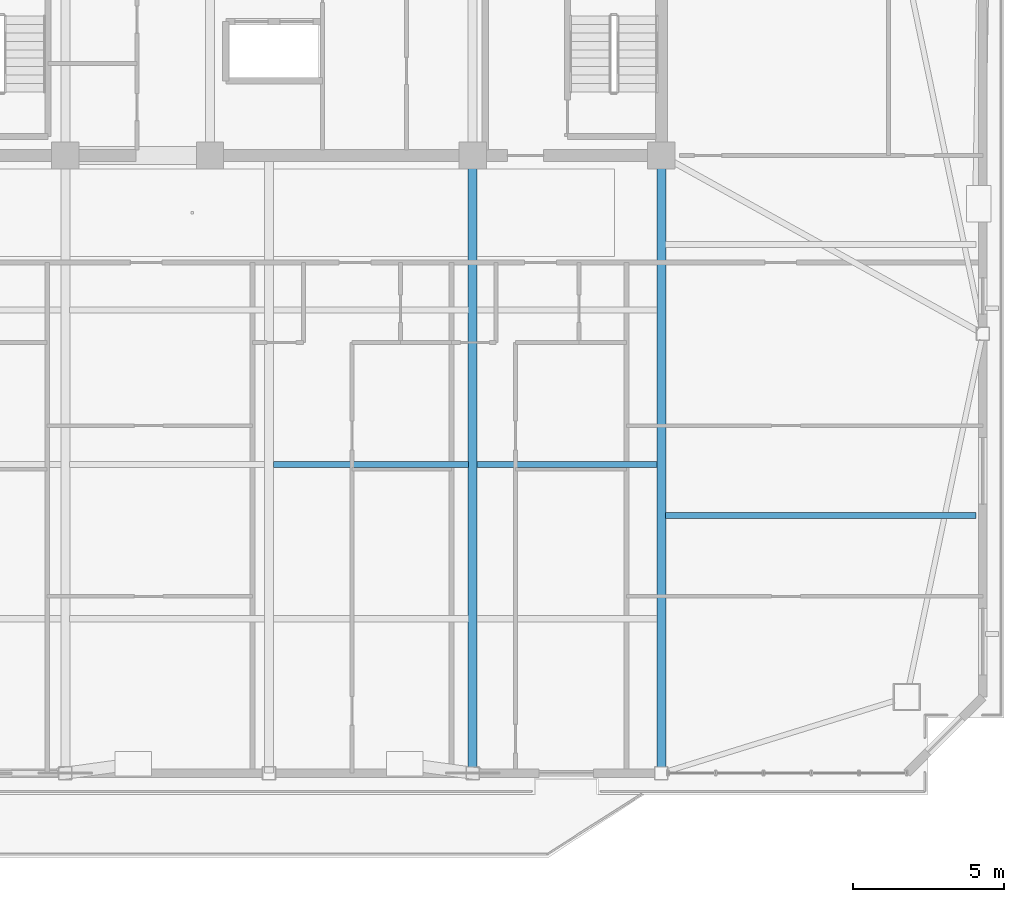
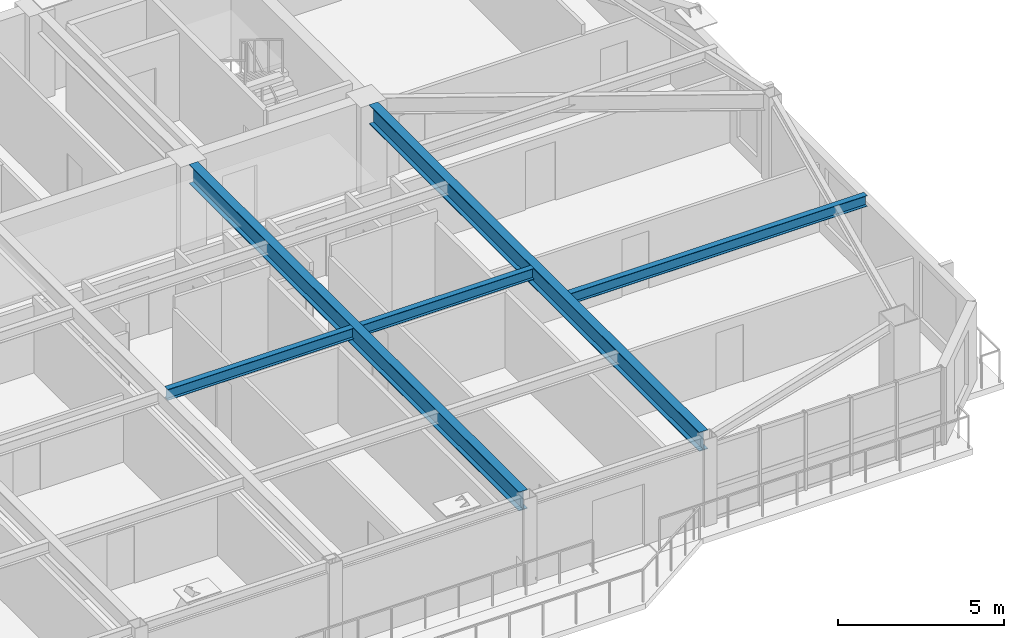
# One storey, part 5 of 17: 5 beams.
"""IFC4 building model written with IfcOpenShell, lengths in metres."""

from ifc_helpers import new_model, si_unit, direction, frame, origin, origin_2d, place, context, subcontext, project, spatial, i_section, extrude, source, transform, mapped, material, material_profile, profile_set, type_object, element, save


model = new_model("IFC4")

# Units and contexts
model_context = context("Model", 3, precision=1e-05, world=origin(), true_north=direction((0.0, 1.0)))
body_context = subcontext(model_context, "Body", "Model", "MODEL_VIEW")
ifc_project = project(units=[si_unit("LENGTHUNIT", "METRE"), si_unit("AREAUNIT", "SQUARE_METRE"), si_unit("VOLUMEUNIT", "CUBIC_METRE"), si_unit("PLANEANGLEUNIT", "RADIAN"), si_unit("MASSUNIT", "GRAM", prefix="KILO")], contexts=[model_context])

# Site, building, storey
site_placement = place(None, origin())
site = spatial("IfcSite", under=ifc_project, at=site_placement, CompositionType="ELEMENT")
building_placement = place(site_placement, origin())
building = spatial("IfcBuilding", under=site, at=building_placement, Name="Giltprow Tower", CompositionType="ELEMENT")
storey_placement = place(building_placement, frame((0.0, 0.0, 268.89990234375)))
storey = spatial("IfcBuildingStorey", under=building, at=storey_placement, Name="L69", CompositionType="ELEMENT", Elevation=268.89990234375)

# Beams
ifc_material = material(Name="Structural steel Q355B", Category="steel")
ifc_material_profile_1 = material_profile(ifc_material, i_section(OverallWidth=0.199951171875, OverallDepth=0.39990234375, WebThickness=0.008056640625, FlangeThickness=0.012939453125, at=origin_2d()), Name="HN 400x200x8x13")
ifc_profile_set_1 = profile_set([ifc_material_profile_1], Name="Structural steel Q355B")
beam_type_1 = type_object("IfcBeamType", Name="BM-JOIST-HN400", PredefinedType="JOIST", material=ifc_profile_set_1)
shared_shape_1 = source(origin(), body_context, "Body", "SweptSolid", [
    extrude(i_section(OverallWidth=0.199951171875, OverallDepth=0.39990234375, WebThickness=0.008056640625, FlangeThickness=0.012939453125, at=origin_2d()), origin(), (0.0, 0.0, 1.0), 6.4599609375),
])
beam_1_placement = place(storey_placement, frame((37.695068359375, 27.212890625, 2.985107421875), z_axis=(1.0, 0.0, 0.0), x_axis=(0.0, 1.0, 0.0)))
element("IfcBeam", 1, at=beam_1_placement, inside=storey, type_object=beam_type_1, Name="L69 Composite Floor Joist 2-3", PredefinedType="JOIST", context=body_context, shape_type="MappedRepresentation", body=[
    mapped(shared_shape_1, transform((0.0, 0.0, 0.0), x_axis=(1.0, 0.0, 0.0), y_axis=(0.0, 1.0, 0.0), z_axis=(0.0, 0.0, 1.0), scale=1.0)),
])
shared_shape_2 = source(origin(), body_context, "Body", "SweptSolid", [
    extrude(i_section(OverallWidth=0.199951171875, OverallDepth=0.39990234375, WebThickness=0.008056640625, FlangeThickness=0.012939453125, at=origin_2d()), origin(), (0.0, 0.0, 1.0), 5.9599609375),
])
beam_2_placement = place(storey_placement, frame((44.445068359375, 27.212890625, 2.985107421875), z_axis=(1.0, 0.0, 0.0), x_axis=(0.0, 1.0, 0.0)))
element("IfcBeam", 2, at=beam_2_placement, inside=storey, type_object=beam_type_1, Name="L69 Composite Floor Joist 2-4", PredefinedType="JOIST", context=body_context, shape_type="MappedRepresentation", body=[
    mapped(shared_shape_2, transform((0.0, 0.0, 0.0), x_axis=(1.0, 0.0, 0.0), y_axis=(0.0, 1.0, 0.0), z_axis=(0.0, 0.0, 1.0), scale=1.0)),
])
shared_shape_3 = source(origin(), body_context, "Body", "SweptSolid", [
    extrude(i_section(OverallWidth=0.199951171875, OverallDepth=0.39990234375, WebThickness=0.008056640625, FlangeThickness=0.012939453125, at=origin_2d()), origin(), (0.0, 0.0, 1.0), 10.2919921875),
])
beam_3_placement = place(storey_placement, frame((50.695068359375, 25.51806640625, 2.985107421875), z_axis=(1.0, 0.0, 0.0), x_axis=(0.0, 1.0, 0.0)))
element("IfcBeam", 3, at=beam_3_placement, inside=storey, type_object=beam_type_1, Name="L69 East Wing Floor Joist 1", PredefinedType="JOIST", context=body_context, shape_type="MappedRepresentation", body=[
    mapped(shared_shape_3, transform((0.0, 0.0, 0.0), x_axis=(1.0, 0.0, 0.0), y_axis=(0.0, 1.0, 0.0), z_axis=(0.0, 0.0, 1.0), scale=1.0)),
])
ifc_material_profile_2 = material_profile(ifc_material, i_section(OverallWidth=0.300048828125, OverallDepth=0.699951171875, WebThickness=0.012939453125, FlangeThickness=0.02392578125, at=origin_2d()), Name="HN 700x300x13x24")
ifc_profile_set_2 = profile_set([ifc_material_profile_2], Name="Structural steel Q355B")
beam_type_2 = type_object("IfcBeamType", Name="BM-GIRD-HN700", PredefinedType="BEAM", material=ifc_profile_set_2)
shared_shape_4 = source(origin(), body_context, "Body", "SweptSolid", [
    extrude(i_section(OverallWidth=0.300048828125, OverallDepth=0.699951171875, WebThickness=0.012939453125, FlangeThickness=0.02392578125, at=origin_2d()), origin(), (0.0, 0.0, 1.0), 19.828857421875),
])
for number, where, z_axis, x_axis, name in (
    (4, (44.300048828125, 17.18603515625, 2.835205078125), (0.0, 1.0, 0.0), (-1.0, 0.0, 0.0), "L69 Primary Lease Girder S3"),
    (5, (50.550048828125, 17.18603515625, 2.835205078125), (0.0, 1.0, 0.0), (-1.0, 0.0, 0.0), "L69 Primary Lease Girder S4"),
):
    element("IfcBeam", number, at=place(storey_placement, frame(where, z_axis=z_axis, x_axis=x_axis)), inside=storey, type_object=beam_type_2, Name=name, PredefinedType="BEAM", context=body_context, shape_type="MappedRepresentation", body=[
        mapped(shared_shape_4, transform((0.0, 0.0, 0.0), x_axis=(1.0, 0.0, 0.0), y_axis=(0.0, 1.0, 0.0), z_axis=(0.0, 0.0, 1.0), scale=1.0)),
    ])

save(model, "model.ifc")
